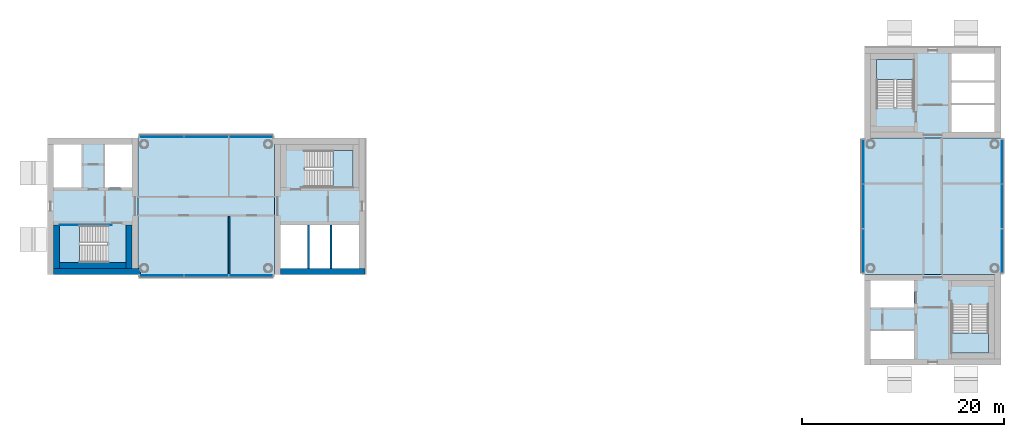
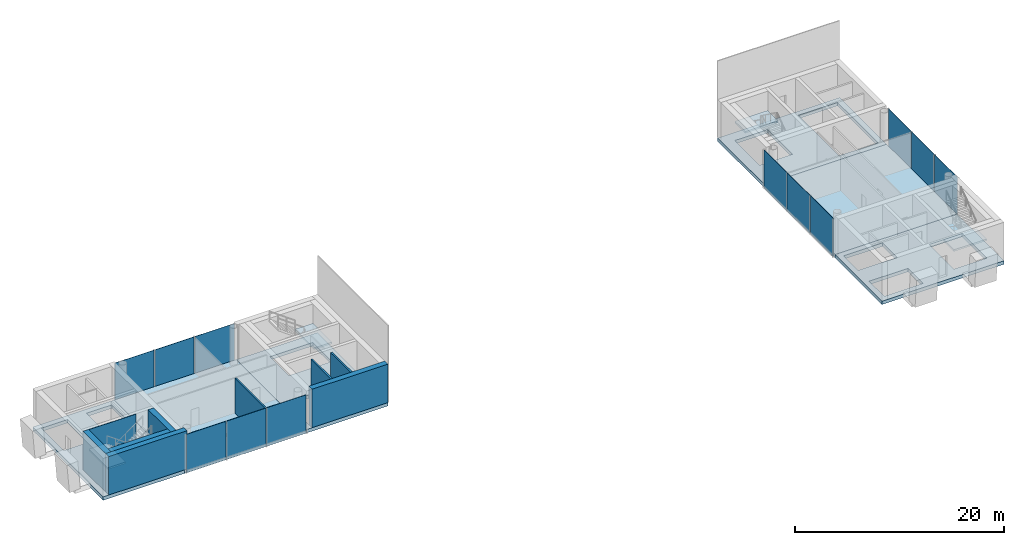
# One storey, part 4 of 11: 12 plates, 10 slabs, 9 walls, 8 elements without a shape of their own.
"""IFC4 building model written with IfcOpenShell, lengths in metres."""

from ifc_helpers import new_model, si_unit, direction, frame, frame_2d, origin, origin_2d, place, context, subcontext, project, spatial, polyline, rectangle, outline, extrude, material, layer, layer_set, type_object, element, aggregate, save


model = new_model("IFC4")

# Units and contexts
model_context = context("Model", 3, precision=1e-05, world=origin(), true_north=direction((0.0, 1.0)))
body_context = subcontext(model_context, "Body", "Model", "MODEL_VIEW")
ifc_project = project(units=[si_unit("LENGTHUNIT", "METRE"), si_unit("AREAUNIT", "SQUARE_METRE"), si_unit("VOLUMEUNIT", "CUBIC_METRE"), si_unit("PLANEANGLEUNIT", "RADIAN"), si_unit("MASSUNIT", "GRAM", prefix="KILO")], contexts=[model_context])

# Site, building, storey
site_placement = place(None, origin())
site = spatial("IfcSite", under=ifc_project, at=site_placement, CompositionType="ELEMENT")
building_placement = place(site_placement, origin())
building = spatial("IfcBuilding", under=site, at=building_placement, Name="Ipe Terrace Towers", CompositionType="ELEMENT")
storey_placement = place(building_placement, frame((0.0, 0.0, 251.39990234375)))
storey = spatial("IfcBuildingStorey", under=building, at=storey_placement, Name="L69", CompositionType="ELEMENT", Elevation=251.39990234375)

# Slabs
ifc_material_1 = material(Name="Concrete C30/37", Category="concrete")
ifc_layer_1 = layer(ifc_material_1, 0.39990234375)
ifc_layer_set_1 = layer_set([ifc_layer_1], Name="CORE FLOOR SLAB 400 C30-37")
slab_type_1 = type_object("IfcSlabType", Name="CORE FLOOR SLAB 400 C30-37", PredefinedType="FLOOR", material=ifc_layer_set_1)
slab_1_placement = place(storey_placement, frame((0.0, 0.0, -0.39990234375)))
element("IfcSlab", 1, at=slab_1_placement, inside=storey, type_object=slab_type_1, Name="Core floor T1-C1", PredefinedType="FLOOR", context=body_context, shape_type="SweptSolid", body=[
    extrude(outline(polyline([(-29.25, -6.75), (-29.25, 6.75), (-20.25, 6.75), (-20.25, -6.75), (-29.25, -6.75)]), holes=[polyline([(-28.64990234375, -6.14990234375), (-20.85009765625, -6.14990234375), (-20.85009765625, -1.85009765625), (-28.64990234375, -1.85009765625), (-28.64990234375, -6.14990234375)]), polyline([(-26.199951171875, 5.550048828125), (-26.199951171875, 1.89990234375), (-21.449951171875, 1.89990234375), (-21.449951171875, 5.550048828125), (-26.199951171875, 5.550048828125)])]), origin(), (0.0, 0.0, 1.0), 0.39990234375),
])
slab_2_placement = place(storey_placement, frame((0.0, 0.0, -0.39990234375)))
element("IfcSlab", 2, at=slab_2_placement, inside=storey, type_object=slab_type_1, Name="Core floor T1-C2", PredefinedType="FLOOR", context=body_context, shape_type="SweptSolid", body=[
    extrude(outline(polyline([(-51.75, -6.75), (-51.75, 6.75), (-42.75, 6.75), (-42.75, -6.75), (-51.75, -6.75)]), holes=[polyline([(-45.800048828125, -1.89990234375), (-50.550048828125, -1.89990234375), (-50.550048828125, -5.550048828125), (-45.800048828125, -5.550048828125), (-45.800048828125, -1.89990234375)]), polyline([(-48.25, 1.85009765625), (-48.25, 6.14990234375), (-51.14990234375, 6.14990234375), (-51.14990234375, 1.85009765625), (-48.25, 1.85009765625)]), polyline([(-43.35009765625, 1.85009765625), (-43.35009765625, 6.14990234375), (-46.14990234375, 6.14990234375), (-46.14990234375, 1.85009765625), (-43.35009765625, 1.85009765625)])]), origin(), (0.0, 0.0, 1.0), 0.39990234375),
])
slab_3_placement = place(storey_placement, frame((0.0, 0.0, -0.39990234375)))
element("IfcSlab", 3, at=slab_3_placement, inside=storey, type_object=slab_type_1, Name="Core floor T2-C1", PredefinedType="FLOOR", context=body_context, shape_type="SweptSolid", body=[
    extrude(outline(polyline([(29.25, 6.75), (29.25, 15.75), (42.75, 15.75), (42.75, 6.75), (29.25, 6.75)]), holes=[polyline([(42.14990234375, 7.35009765625), (42.14990234375, 15.14990234375), (37.85009765625, 15.14990234375), (37.85009765625, 7.35009765625), (42.14990234375, 7.35009765625)]), polyline([(30.449951171875, 9.800048828125), (34.10009765625, 9.800048828125), (34.10009765625, 14.550048828125), (30.449951171875, 14.550048828125), (30.449951171875, 9.800048828125)])]), origin(), (0.0, 0.0, 1.0), 0.39990234375),
])
slab_4_placement = place(storey_placement, frame((0.0, 0.0, -0.39990234375)))
element("IfcSlab", 4, at=slab_4_placement, inside=storey, type_object=slab_type_1, Name="Core floor T2-C2", PredefinedType="FLOOR", context=body_context, shape_type="SweptSolid", body=[
    extrude(outline(polyline([(29.25, -15.75), (29.25, -6.75), (42.75, -6.75), (42.75, -15.75), (29.25, -15.75)]), holes=[polyline([(29.85009765625, -12.25), (29.85009765625, -15.14990234375), (34.14990234375, -15.14990234375), (34.14990234375, -12.25), (29.85009765625, -12.25)]), polyline([(41.550048828125, -9.800048828125), (37.89990234375, -9.800048828125), (37.89990234375, -14.550048828125), (41.550048828125, -14.550048828125), (41.550048828125, -9.800048828125)]), polyline([(34.14990234375, -7.35009765625), (29.85009765625, -7.35009765625), (29.85009765625, -10.14990234375), (34.14990234375, -10.14990234375), (34.14990234375, -7.35009765625)])]), origin(), (0.0, 0.0, 1.0), 0.39990234375),
])

# Stair, slab
ifc_material_2 = material(Name="Concrete C30/37", Category="concrete")
stair_type = type_object("IfcStairType", Name="Protected exit stair", PredefinedType="HALF_TURN_STAIR", material=ifc_material_2)
stair_1_placement = place(storey_placement, origin())
stair_1 = element("IfcStair", 5, at=stair_1_placement, inside=storey, type_object=stair_type, Name="L69 Exit stair T1-C1", PredefinedType="HALF_TURN_STAIR")
ifc_material_3 = material(Name="Concrete C30/37", Category="concrete")
ifc_layer_2 = layer(ifc_material_3, 0.199951171875)
ifc_layer_set_2 = layer_set([ifc_layer_2], Name="Exit stair landing 200")
slab_type_2 = type_object("IfcSlabType", Name="Exit stair landing 200", PredefinedType="LANDING", material=ifc_layer_set_2)
slab_5_placement = place(storey_placement, frame((0.0, 0.0, 2.050048828125)))
slab_5 = element("IfcSlab", 6, at=slab_5_placement, type_object=slab_type_2, Name="T1-ST1 landing 1", PredefinedType="LANDING", context=body_context, shape_type="SweptSolid", body=[
    extrude(outline(polyline([(-23.43994140625, 1.89990234375), (-21.449951171875, 1.89990234375), (-21.449951171875, 5.550048828125), (-23.43994140625, 5.550048828125), (-23.43994140625, 1.89990234375)])), origin(), (0.0, 0.0, 1.0), 0.199951171875),
])
aggregate(stair_1, [slab_5])

stair_2_placement = place(storey_placement, origin())
stair_2 = element("IfcStair", 7, at=stair_2_placement, inside=storey, type_object=stair_type, Name="L69 Exit stair T1-C2", PredefinedType="HALF_TURN_STAIR")
slab_6_placement = place(storey_placement, frame((0.0, 0.0, 2.050048828125)))
slab_6 = element("IfcSlab", 8, at=slab_6_placement, type_object=slab_type_2, Name="T1-ST2 landing 1", PredefinedType="LANDING", context=body_context, shape_type="SweptSolid", body=[
    extrude(outline(polyline([(-48.56005859375, -1.89990234375), (-50.550048828125, -1.89990234375), (-50.550048828125, -5.550048828125), (-48.56005859375, -5.550048828125), (-48.56005859375, -1.89990234375)])), origin(), (0.0, 0.0, 1.0), 0.199951171875),
])
aggregate(stair_2, [slab_6])

stair_3_placement = place(storey_placement, origin())
stair_3 = element("IfcStair", 9, at=stair_3_placement, inside=storey, type_object=stair_type, Name="L69 Exit stair T2-C1", PredefinedType="HALF_TURN_STAIR")
slab_7_placement = place(storey_placement, frame((0.0, 0.0, 2.050048828125)))
slab_7 = element("IfcSlab", 10, at=slab_7_placement, type_object=slab_type_2, Name="T2-ST1 landing 1", PredefinedType="LANDING", context=body_context, shape_type="SweptSolid", body=[
    extrude(outline(polyline([(34.10009765625, 12.56005859375), (34.10009765625, 14.550048828125), (30.449951171875, 14.550048828125), (30.449951171875, 12.56005859375), (34.10009765625, 12.56005859375)])), origin(), (0.0, 0.0, 1.0), 0.199951171875),
])
aggregate(stair_3, [slab_7])

stair_4_placement = place(storey_placement, origin())
stair_4 = element("IfcStair", 11, at=stair_4_placement, inside=storey, type_object=stair_type, Name="L69 Exit stair T2-C2", PredefinedType="HALF_TURN_STAIR")
slab_8_placement = place(storey_placement, frame((0.0, 0.0, 2.050048828125)))
slab_8 = element("IfcSlab", 12, at=slab_8_placement, type_object=slab_type_2, Name="T2-ST2 landing 1", PredefinedType="LANDING", context=body_context, shape_type="SweptSolid", body=[
    extrude(outline(polyline([(37.89990234375, -12.56005859375), (37.89990234375, -14.550048828125), (41.550048828125, -14.550048828125), (41.550048828125, -12.56005859375), (37.89990234375, -12.56005859375)])), origin(), (0.0, 0.0, 1.0), 0.199951171875),
])
aggregate(stair_4, [slab_8])

# Slabs
ifc_material_4 = material(Name="Concrete C40/50", Category="concrete")
ifc_layer_3 = layer(ifc_material_4, 0.39990234375)
ifc_layer_set_3 = layer_set([ifc_layer_3], Name="FLAT PLATE SLAB 400 C40-50")
slab_type_3 = type_object("IfcSlabType", Name="FLAT PLATE SLAB 400 C40-50", PredefinedType="FLOOR", material=ifc_layer_set_3)
slab_9_placement = place(storey_placement, frame((0.0, 0.0, -0.39990234375)))
element("IfcSlab", 13, at=slab_9_placement, inside=storey, type_object=slab_type_3, Name="Slab T1-FS-Z41", PredefinedType="FLOOR", context=body_context, shape_type="SweptSolid", body=[
    extrude(outline(polyline([(-29.25, 6.75), (-29.25, -6.75), (-42.75, -6.75), (-42.75, 6.75), (-29.25, 6.75)])), origin(), (0.0, 0.0, 1.0), 0.39990234375),
])
slab_10_placement = place(storey_placement, frame((0.0, 0.0, -0.39990234375)))
element("IfcSlab", 14, at=slab_10_placement, inside=storey, type_object=slab_type_3, Name="Slab T2-FS-Z41", PredefinedType="FLOOR", context=body_context, shape_type="SweptSolid", body=[
    extrude(outline(polyline([(29.25, 6.75), (42.75, 6.75), (42.75, -6.75), (29.25, -6.75), (29.25, 6.75)])), origin(), (0.0, 0.0, 1.0), 0.39990234375),
])

# Curtain wall, plates
ifc_material_5 = material(Name="Aluminium alloy 6063-T6", Category="aluminium")
ifc_layer_4 = layer(ifc_material_5, 0.320068359375)
ifc_layer_set_4 = layer_set([ifc_layer_4], Name="LANTERN CURTAIN WALL")
curtain_wall_type = type_object("IfcCurtainWallType", Name="LANTERN CURTAIN WALL", PredefinedType="NOTDEFINED", material=ifc_layer_set_4)
curtain_wall_1_placement = place(storey_placement, origin())
curtain_wall_1 = element("IfcCurtainWall", 15, at=curtain_wall_1_placement, inside=storey, type_object=curtain_wall_type, Name="T1-CW-L69-00b curtain wall", PredefinedType="NOTDEFINED")
ifc_material_6 = material(Name="Glass, clear laminated", Category="glass")
ifc_layer_5 = layer(ifc_material_6, 0.0400390625)
ifc_layer_set_5 = layer_set([ifc_layer_5], Name="LANTERN GLASS PANEL 40")
plate_type = type_object("IfcPlateType", Name="LANTERN GLASS PANEL 40", PredefinedType="CURTAIN_PANEL", material=ifc_layer_set_5)
plate_1_placement = place(storey_placement, frame((-40.4326171875, -6.875, -0.2998046875), z_axis=(0.0, 0.0, 1.0), x_axis=(1.0, 0.0, 0.0)))
plate_1 = element("IfcPlate", 16, at=plate_1_placement, type_object=plate_type, Name="T1-CW-L69-00b panel 1", PredefinedType="CURTAIN_PANEL", context=body_context, shape_type="SweptSolid", body=[
    extrude(rectangle(XDim=4.352783203125, YDim=0.0400390625, at=origin_2d()), origin(), (0.0, 0.0, 1.0), 4.5),
])
plate_2_placement = place(storey_placement, frame((-36.0, -6.875, -0.2998046875), z_axis=(0.0, 0.0, 1.0), x_axis=(1.0, 0.0, 0.0)))
plate_2 = element("IfcPlate", 17, at=plate_2_placement, type_object=plate_type, Name="T1-CW-L69-00b panel 2", PredefinedType="CURTAIN_PANEL", context=body_context, shape_type="SweptSolid", body=[
    extrude(rectangle(XDim=4.352783203125, YDim=0.0400390625, at=origin_2d()), origin(), (0.0, 0.0, 1.0), 4.5),
])
plate_3_placement = place(storey_placement, frame((-31.5673828125, -6.875, -0.2998046875), z_axis=(0.0, 0.0, 1.0), x_axis=(1.0, 0.0, 0.0)))
plate_3 = element("IfcPlate", 18, at=plate_3_placement, type_object=plate_type, Name="T1-CW-L69-00b panel 3", PredefinedType="CURTAIN_PANEL", context=body_context, shape_type="SweptSolid", body=[
    extrude(rectangle(XDim=4.352783203125, YDim=0.0400390625, at=origin_2d()), origin(), (0.0, 0.0, 1.0), 4.5),
])
aggregate(curtain_wall_1, [plate_1, plate_2, plate_3])

curtain_wall_2_placement = place(storey_placement, origin())
curtain_wall_2 = element("IfcCurtainWall", 19, at=curtain_wall_2_placement, inside=storey, type_object=curtain_wall_type, Name="T1-CW-L69-02b curtain wall", PredefinedType="NOTDEFINED")
plate_4_placement = place(storey_placement, frame((-31.5673828125, 6.875, -0.2998046875), z_axis=(0.0, 0.0, 1.0), x_axis=(-1.0, 0.0, 0.0)))
plate_4 = element("IfcPlate", 20, at=plate_4_placement, type_object=plate_type, Name="T1-CW-L69-02b panel 1", PredefinedType="CURTAIN_PANEL", context=body_context, shape_type="SweptSolid", body=[
    extrude(rectangle(XDim=4.352783203125, YDim=0.0400390625, at=origin_2d()), origin(), (0.0, 0.0, 1.0), 4.5),
])
plate_5_placement = place(storey_placement, frame((-36.0, 6.875, -0.2998046875), z_axis=(0.0, 0.0, 1.0), x_axis=(-1.0, 0.0, 0.0)))
plate_5 = element("IfcPlate", 21, at=plate_5_placement, type_object=plate_type, Name="T1-CW-L69-02b panel 2", PredefinedType="CURTAIN_PANEL", context=body_context, shape_type="SweptSolid", body=[
    extrude(rectangle(XDim=4.352783203125, YDim=0.0400390625, at=origin_2d()), origin(), (0.0, 0.0, 1.0), 4.5),
])
plate_6_placement = place(storey_placement, frame((-40.4326171875, 6.875, -0.2998046875), z_axis=(0.0, 0.0, 1.0), x_axis=(-1.0, 0.0, 0.0)))
plate_6 = element("IfcPlate", 22, at=plate_6_placement, type_object=plate_type, Name="T1-CW-L69-02b panel 3", PredefinedType="CURTAIN_PANEL", context=body_context, shape_type="SweptSolid", body=[
    extrude(rectangle(XDim=4.352783203125, YDim=0.0400390625, at=origin_2d()), origin(), (0.0, 0.0, 1.0), 4.5),
])
aggregate(curtain_wall_2, [plate_4, plate_5, plate_6])

curtain_wall_3_placement = place(storey_placement, origin())
curtain_wall_3 = element("IfcCurtainWall", 23, at=curtain_wall_3_placement, inside=storey, type_object=curtain_wall_type, Name="T2-CW-L69-00b curtain wall", PredefinedType="NOTDEFINED")
plate_7_placement = place(storey_placement, frame((42.875, -4.4326171875, -0.2998046875), z_axis=(0.0, 0.0, 1.0), x_axis=(0.0, 1.0, 0.0)))
plate_7 = element("IfcPlate", 24, at=plate_7_placement, type_object=plate_type, Name="T2-CW-L69-00b panel 1", PredefinedType="CURTAIN_PANEL", context=body_context, shape_type="SweptSolid", body=[
    extrude(rectangle(XDim=4.352783203125, YDim=0.0400390625, at=origin_2d()), origin(), (0.0, 0.0, 1.0), 4.5),
])
plate_8_placement = place(storey_placement, frame((42.875, 0.0, -0.2998046875), z_axis=(0.0, 0.0, 1.0), x_axis=(0.0, 1.0, 0.0)))
plate_8 = element("IfcPlate", 25, at=plate_8_placement, type_object=plate_type, Name="T2-CW-L69-00b panel 2", PredefinedType="CURTAIN_PANEL", context=body_context, shape_type="SweptSolid", body=[
    extrude(rectangle(XDim=4.352783203125, YDim=0.0400390625, at=origin_2d()), origin(), (0.0, 0.0, 1.0), 4.5),
])
plate_9_placement = place(storey_placement, frame((42.875, 4.4326171875, -0.2998046875), z_axis=(0.0, 0.0, 1.0), x_axis=(0.0, 1.0, 0.0)))
plate_9 = element("IfcPlate", 26, at=plate_9_placement, type_object=plate_type, Name="T2-CW-L69-00b panel 3", PredefinedType="CURTAIN_PANEL", context=body_context, shape_type="SweptSolid", body=[
    extrude(rectangle(XDim=4.352783203125, YDim=0.0400390625, at=origin_2d()), origin(), (0.0, 0.0, 1.0), 4.5),
])
aggregate(curtain_wall_3, [plate_7, plate_8, plate_9])

curtain_wall_4_placement = place(storey_placement, origin())
curtain_wall_4 = element("IfcCurtainWall", 27, at=curtain_wall_4_placement, inside=storey, type_object=curtain_wall_type, Name="T2-CW-L69-02b curtain wall", PredefinedType="NOTDEFINED")
plate_10_placement = place(storey_placement, frame((29.125, 4.4326171875, -0.2998046875), z_axis=(0.0, 0.0, 1.0), x_axis=(0.0, -1.0, 0.0)))
plate_10 = element("IfcPlate", 28, at=plate_10_placement, type_object=plate_type, Name="T2-CW-L69-02b panel 1", PredefinedType="CURTAIN_PANEL", context=body_context, shape_type="SweptSolid", body=[
    extrude(rectangle(XDim=4.352783203125, YDim=0.0400390625, at=origin_2d()), origin(), (0.0, 0.0, 1.0), 4.5),
])
plate_11_placement = place(storey_placement, frame((29.125, 0.0, -0.2998046875), z_axis=(0.0, 0.0, 1.0), x_axis=(0.0, -1.0, 0.0)))
plate_11 = element("IfcPlate", 29, at=plate_11_placement, type_object=plate_type, Name="T2-CW-L69-02b panel 2", PredefinedType="CURTAIN_PANEL", context=body_context, shape_type="SweptSolid", body=[
    extrude(rectangle(XDim=4.352783203125, YDim=0.0400390625, at=origin_2d()), origin(), (0.0, 0.0, 1.0), 4.5),
])
plate_12_placement = place(storey_placement, frame((29.125, -4.4326171875, -0.2998046875), z_axis=(0.0, 0.0, 1.0), x_axis=(0.0, -1.0, 0.0)))
plate_12 = element("IfcPlate", 30, at=plate_12_placement, type_object=plate_type, Name="T2-CW-L69-02b panel 3", PredefinedType="CURTAIN_PANEL", context=body_context, shape_type="SweptSolid", body=[
    extrude(rectangle(XDim=4.352783203125, YDim=0.0400390625, at=origin_2d()), origin(), (0.0, 0.0, 1.0), 4.5),
])
aggregate(curtain_wall_4, [plate_10, plate_11, plate_12])

# Walls
ifc_material_7 = material(Name="Gypsum board partition", Category="plasterboard")
ifc_layer_6 = layer(ifc_material_7, 0.14990234375)
ifc_layer_set_6 = layer_set([ifc_layer_6], Name="Gypsum board partition 150 mm")
wall_type_1 = type_object("IfcWallType", Name="Gypsum board partition 150 mm", PredefinedType="PARTITIONING", material=ifc_layer_set_6)
wall_1_placement = place(storey_placement, frame((-33.75, -0.97509765625, 0.0), z_axis=(0.0, 0.0, 1.0), x_axis=(0.0, -1.0, 0.0)))
element("IfcWall", 31, at=wall_1_placement, inside=storey, type_object=wall_type_1, Name="Gypsum board partition T1 L69 sp-hub-dm", PredefinedType="PARTITIONING", context=body_context, shape_type="SweptSolid", body=[
    extrude(rectangle(XDim=5.875, YDim=0.14990234375, at=frame_2d((2.9375, 0.0))), origin(), (0.0, 0.0, 1.0), 4.10009765625),
])
ifc_material_8 = material(Name="Gypsum board party wall", Category="plasterboard")
ifc_layer_7 = layer(ifc_material_8, 0.199951171875)
ifc_layer_set_7 = layer_set([ifc_layer_7], Name="Gypsum board party wall 200 mm")
wall_type_2 = type_object("IfcWallType", Name="Gypsum board party wall 200 mm", PredefinedType="SOLIDWALL", material=ifc_layer_set_7)
for number, where, z_axis, x_axis, name in (
    (32, (-25.85009765625, -6.14990234375, 0.0), (0.0, 0.0, 1.0), (0.0, 1.0, 0.0), "Gypsum board party wall T1 L69 t1c1-shaft-div1"),
    (33, (-23.64990234375, -6.14990234375, 0.0), (0.0, 0.0, 1.0), (0.0, 1.0, 0.0), "Gypsum board party wall T1 L69 t1c1-shaft-div2"),
):
    element("IfcWall", number, at=place(storey_placement, frame(where, z_axis=z_axis, x_axis=x_axis)), inside=storey, type_object=wall_type_2, Name=name, PredefinedType="SOLIDWALL", context=body_context, shape_type="SweptSolid", body=[
        extrude(rectangle(XDim=4.2998046875, YDim=0.199951171875, at=frame_2d((2.14990234375, 0.0))), origin(), (0.0, 0.0, 1.0), 4.10009765625),
    ])
ifc_material_9 = material(Name="Concrete C40/50", Category="concrete")
ifc_layer_8 = layer(ifc_material_9, 0.050048828125)
ifc_layer_set_8 = layer_set([ifc_layer_8], Name="RW50 CORE INFILL WALL 50 C40-50")
wall_type_3 = type_object("IfcWallType", Name="RW50 CORE INFILL WALL 50 C40-50", PredefinedType="SHEAR", material=ifc_layer_set_8)
wall_2_placement = place(storey_placement, frame((-45.35009765625, -1.875, 0.0), z_axis=(0.0, 0.0, 1.0), x_axis=(-1.0, 0.0, 0.0)))
element("IfcWall", 34, at=wall_2_placement, inside=storey, type_object=wall_type_3, Name="Core infill wall T1-C2-spine-b", PredefinedType="SHEAR", context=body_context, shape_type="SweptSolid", body=[
    extrude(rectangle(XDim=5.199951171875, YDim=0.050048828125, at=frame_2d((2.60009765625, 0.0))), origin(), (0.0, 0.0, 1.0), 4.5),
])
ifc_material_10 = material(Name="Concrete C40/50", Category="concrete")
ifc_layer_9 = layer(ifc_material_10, 0.60009765625)
ifc_layer_set_9 = layer_set([ifc_layer_9], Name="RW600 CORE INFILL WALL 600 C40-50")
wall_type_4 = type_object("IfcWallType", Name="RW600 CORE INFILL WALL 600 C40-50", PredefinedType="SHEAR", material=ifc_layer_set_9)
wall_3_placement = place(storey_placement, frame((-50.85009765625, -1.85009765625, 0.0), z_axis=(0.0, 0.0, 1.0), x_axis=(0.0, -1.0, 0.0)))
element("IfcWall", 35, at=wall_3_placement, inside=storey, type_object=wall_type_4, Name="Core infill wall T1-C2-far", PredefinedType="SHEAR", context=body_context, shape_type="SweptSolid", body=[
    extrude(rectangle(XDim=4.2998046875, YDim=0.60009765625, at=frame_2d((2.14990234375, 0.0))), origin(), (0.0, 0.0, 1.0), 4.5),
])
wall_4_placement = place(storey_placement, frame((-43.949951171875, -5.85009765625, 0.0), z_axis=(0.0, 0.0, 1.0), x_axis=(-1.0, 0.0, 0.0)))
element("IfcWall", 36, at=wall_4_placement, inside=storey, type_object=wall_type_4, Name="Core infill wall T1-C2-back", PredefinedType="SHEAR", context=body_context, shape_type="SweptSolid", body=[
    extrude(rectangle(XDim=6.60009765625, YDim=0.60009765625, at=frame_2d((3.300048828125, 0.0))), origin(), (0.0, 0.0, 1.0), 4.5),
])
wall_5_placement = place(storey_placement, frame((-43.64990234375, -1.85009765625, 0.0), z_axis=(0.0, 0.0, 1.0), x_axis=(0.0, -1.0, 0.0)))
element("IfcWall", 37, at=wall_5_placement, inside=storey, type_object=wall_type_4, Name="Core infill wall T1-C2-near", PredefinedType="SHEAR", context=body_context, shape_type="SweptSolid", body=[
    extrude(rectangle(XDim=4.2998046875, YDim=0.60009765625, at=frame_2d((2.14990234375, 0.0))), origin(), (0.0, 0.0, 1.0), 4.5),
])
ifc_material_11 = material(Name="Concrete C40/50", Category="concrete")
ifc_layer_10 = layer(ifc_material_11, 0.60009765625)
ifc_layer_set_10 = layer_set([ifc_layer_10], Name="RW600 CORE WALL 600 C40-50")
wall_type_5 = type_object("IfcWallType", Name="RW600 CORE WALL 600 C40-50", PredefinedType="SHEAR", material=ifc_layer_set_10)
wall_6_placement = place(storey_placement, frame((-28.64990234375, -6.449951171875, 0.0), z_axis=(0.0, 0.0, 1.0), x_axis=(1.0, 0.0, 0.0)))
element("IfcWall", 38, at=wall_6_placement, inside=storey, type_object=wall_type_5, Name="Core wall T1-C1-Z4-W01", PredefinedType="SHEAR", context=body_context, shape_type="SweptSolid", body=[
    extrude(rectangle(XDim=8.39990234375, YDim=0.60009765625, at=frame_2d((4.199951171875, 0.0))), origin(), (0.0, 0.0, 1.0), 4.5),
])
wall_7_placement = place(storey_placement, frame((-51.14990234375, -6.449951171875, 0.0), z_axis=(0.0, 0.0, 1.0), x_axis=(1.0, 0.0, 0.0)))
element("IfcWall", 39, at=wall_7_placement, inside=storey, type_object=wall_type_5, Name="Core wall T1-C2-Z4-W01", PredefinedType="SHEAR", context=body_context, shape_type="SweptSolid", body=[
    extrude(rectangle(XDim=8.64794921875, YDim=0.60009765625, at=frame_2d((4.323974609375, 0.0))), origin(), (0.0, 0.0, 1.0), 4.5),
])

save(model, "model.ifc")
